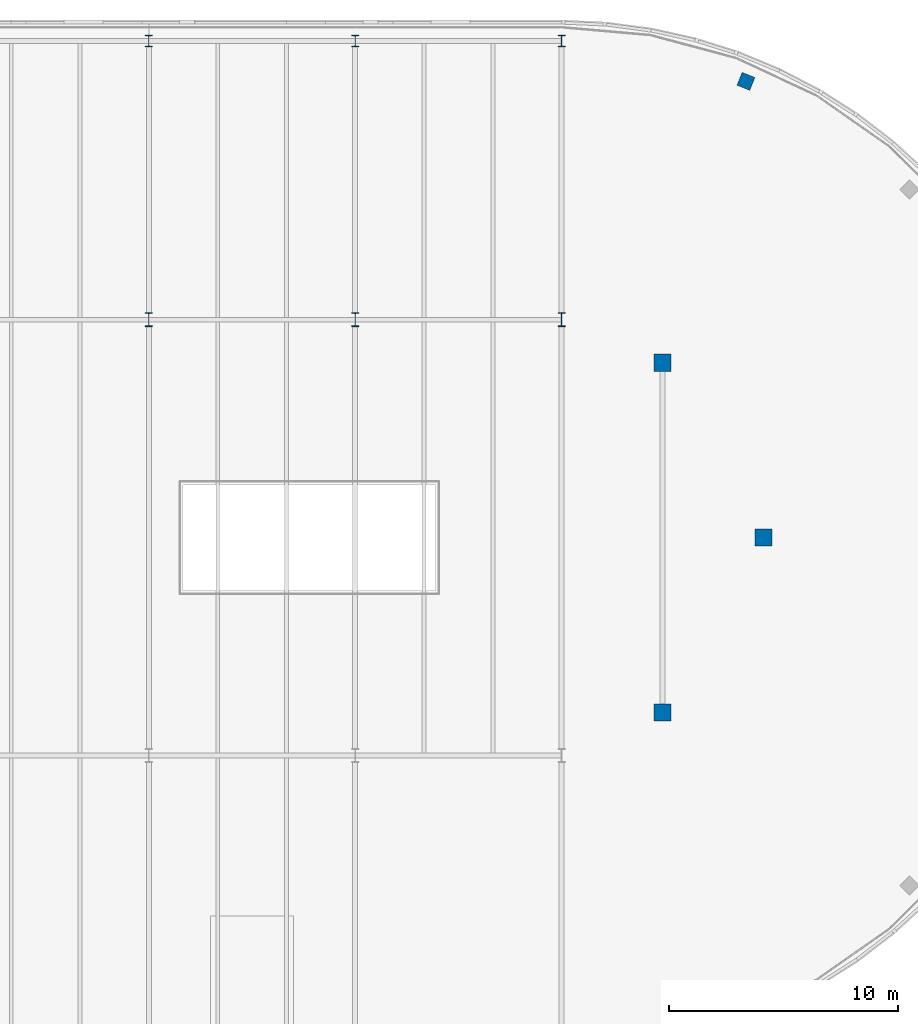
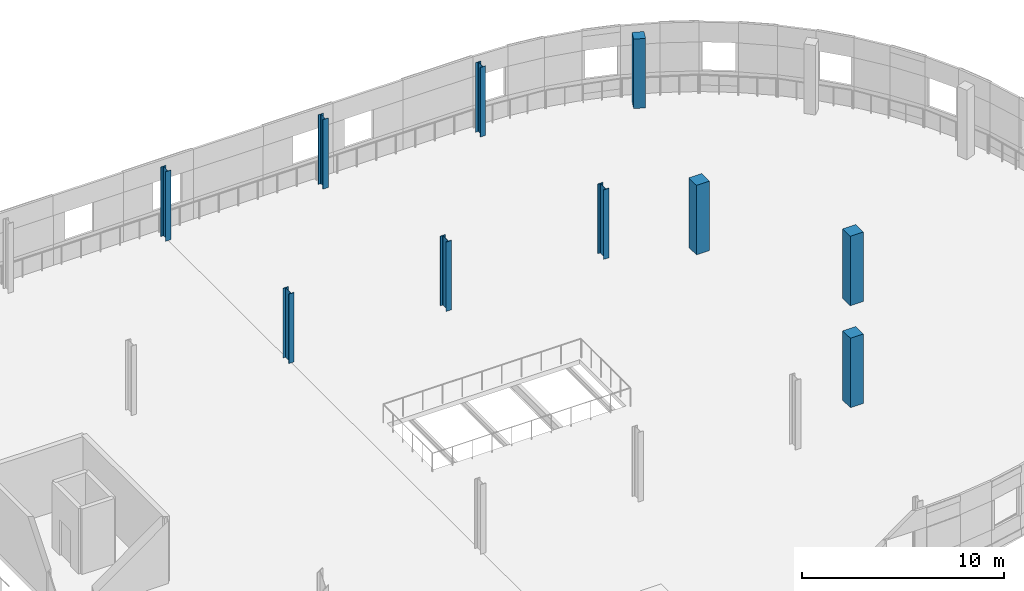
# One storey, part 7 of 88: 10 columns.
"""IFC4 building model written with IfcOpenShell, lengths in metres."""

import ifcopenshell
import ifcopenshell.guid

model = None  # the IFC model being written
_history = None  # IfcOwnerHistory: only IFC2X3 demands one
_inside = {}  # id of a spatial element -> (the spatial element, [elements in it])
_under = {}  # id of a project, library or spatial element -> (it, [spatial elements below it])
_declared = {}  # id of a project -> (the project, [libraries it declares])
_typed = {}  # id of a type object -> (the type object, [elements of that type])
_made_of = {}  # id of a material, layer set ... -> (it, [elements and type objects made of it])


def new_model(schema):
    """Start an empty IFC model of exactly this schema.

    Asked for "IFC4X3", IfcOpenShell would pick the latest addendum, in which some entities
    have other attributes; the version numbers below select the first issue.
    IFC2X3 requires an IfcOwnerHistory on every rooted entity: one is made here for all.
    """
    global model, _history
    if schema == "IFC4X3":
        model = ifcopenshell.file(schema_version=(4, 3, 0, 0))
    else:
        model = ifcopenshell.file(schema=schema)
    _inside.clear()
    _under.clear()
    _declared.clear()
    _typed.clear()
    _made_of.clear()
    _history = None
    if model.schema == "IFC2X3":
        org = make("IfcOrganization", Name="unknown")
        user = make(
            "IfcPersonAndOrganization",
            ThePerson=make("IfcPerson", FamilyName="unknown"),
            TheOrganization=org,
        )
        app = make(
            "IfcApplication",
            ApplicationDeveloper=org,
            Version="unknown",
            ApplicationFullName="unknown",
            ApplicationIdentifier="unknown",
        )
        _history = make(
            "IfcOwnerHistory",
            OwningUser=user,
            OwningApplication=app,
            ChangeAction="ADDED",
            CreationDate=0,
        )
    return model


def make(cls, **values):
    """One entity of the class cls with the attributes given. An attribute that is None is left unset."""
    return model.create_entity(
        cls, **{name: value for name, value in values.items() if value is not None}
    )


def rooted(cls, **values):
    """An entity with a GlobalId (a new one), such as an element, a storey or a relation."""
    return make(cls, GlobalId=ifcopenshell.guid.new(), OwnerHistory=_history, **values)


def si_unit(unit_type, name, prefix=None):
    """IfcSIUnit, for example si_unit("LENGTHUNIT", "METRE", prefix="MILLI")."""
    return make("IfcSIUnit", UnitType=unit_type, Prefix=prefix, Name=name)


def assignment(units):
    """IfcUnitAssignment: the units of a project."""
    return None if units is None else make("IfcUnitAssignment", Units=units)


def point(xyz):
    """IfcCartesianPoint."""
    return None if xyz is None else make("IfcCartesianPoint", Coordinates=xyz)


def direction(xyz):
    """IfcDirection."""
    return None if xyz is None else make("IfcDirection", DirectionRatios=xyz)


def frame(location, z_axis=None, x_axis=None):
    """IfcAxis2Placement3D, a coordinate frame: its origin and axes. An axis left out is left unset."""
    return make(
        "IfcAxis2Placement3D",
        Location=point(location),
        Axis=direction(z_axis),
        RefDirection=direction(x_axis),
    )


def frame_2d(location, x_axis=None):
    """IfcAxis2Placement2D, a coordinate frame in the plane: its origin and x axis."""
    return make(
        "IfcAxis2Placement2D", Location=point(location), RefDirection=direction(x_axis)
    )


def origin():
    """The frame at (0, 0, 0) with its axes left unset."""
    return frame((0.0, 0.0, 0.0))


def origin_2d():
    """The frame at (0, 0) in the plane with its x axis left unset."""
    return frame_2d((0.0, 0.0))


def place(relative_to, where):
    """IfcLocalPlacement: puts the frame where relative to a parent placement (None: the world)."""
    return make(
        "IfcLocalPlacement", PlacementRelTo=relative_to, RelativePlacement=where
    )


def context(
    kind, dimensions, precision=None, world=None, true_north=None, identifier=None
):
    """IfcGeometricRepresentationContext, for example the 3D "Model" context."""
    return make(
        "IfcGeometricRepresentationContext",
        ContextIdentifier=identifier,
        ContextType=kind,
        CoordinateSpaceDimension=dimensions,
        Precision=precision,
        WorldCoordinateSystem=world,
        TrueNorth=true_north,
    )


def subcontext(parent, identifier, kind, view, scale=None):
    """IfcGeometricRepresentationSubContext, for example "Body" below "Model"."""
    return make(
        "IfcGeometricRepresentationSubContext",
        ContextIdentifier=identifier,
        ContextType=kind,
        ParentContext=parent,
        TargetScale=scale,
        TargetView=view,
    )


def project(units=None, contexts=None):
    """IfcProject with its units and contexts."""
    return rooted(
        "IfcProject",
        Name="project",
        RepresentationContexts=contexts,
        UnitsInContext=assignment(units),
    )


def spatial(cls, under=None, at=None, **own):
    """A site, building, storey or space (cls), placed at a placement, below another one or the project."""
    s = rooted(cls, ObjectPlacement=at, **own)
    if under is not None:
        _under.setdefault(under.id(), (under, []))[1].append(s)
    return s


def profile(cls, at=None, kind="AREA", **sizes):
    """A parametric profile (cls). Its sizes go by their IFC names, for example OverallWidth=200.0."""
    return make(cls, ProfileType=kind, Position=at, **sizes)


def rectangle(**sizes):
    """IfcRectangleProfileDef."""
    return profile("IfcRectangleProfileDef", **sizes)


def i_section(**sizes):
    """IfcIShapeProfileDef."""
    return profile("IfcIShapeProfileDef", **sizes)


def extrude(swept, where, along, depth):
    """IfcExtrudedAreaSolid: the profile swept, set in the frame where, extruded along a direction by depth."""
    return make(
        "IfcExtrudedAreaSolid",
        SweptArea=swept,
        Position=where,
        ExtrudedDirection=direction(along),
        Depth=depth,
    )


def shape(context_of_items, identifier, shape_type, items):
    """IfcShapeRepresentation: the items that make up one representation, for example the "Body"."""
    return make(
        "IfcShapeRepresentation",
        ContextOfItems=context_of_items,
        RepresentationIdentifier=identifier,
        RepresentationType=shape_type,
        Items=items,
    )


def material(Name=None, Category=None):
    """IfcMaterial."""
    return make("IfcMaterial", Name=Name, Category=Category)


def material_profile(
    of_material, cross_section, Name=None, Category=None, Priority=None
):
    """IfcMaterialProfile: a cross section and its material."""
    return make(
        "IfcMaterialProfile",
        Name=Name,
        Material=of_material,
        Profile=cross_section,
        Priority=Priority,
        Category=Category,
    )


def profile_set(profiles, Name=None, composite=None):
    """IfcMaterialProfileSet."""
    return make(
        "IfcMaterialProfileSet",
        Name=Name,
        MaterialProfiles=profiles,
        CompositeProfile=composite,
    )


def made_of(thing, what):
    """Note that an element or type object is made of a material, layer set ...; save() writes the relation."""
    if what is not None:
        _made_of.setdefault(what.id(), (what, []))[1].append(thing)
    return thing


def type_object(cls, material=None, **own):
    """A type object (cls), such as IfcWallType, which elements share."""
    return made_of(rooted(cls, **own), material)


def element(
    cls,
    number,
    at=None,
    inside=None,
    cuts=None,
    type_object=None,
    material=None,
    context=None,
    identifier="Body",
    shape_type=None,
    held_by="IfcProductDefinitionShape",
    body=None,
    shapes=None,
    **own,
):
    """One element of the class cls, such as IfcWall. Its Tag is "e" and its number.

    at: its placement. inside: the storey or other place that contains it. cuts: it is an
    opening in that element (IfcRelVoidsElement). A single representation is given by context,
    identifier, shape_type and body (its items); several are given by shapes. held_by: the class
    of the entity that holds the representations. save() writes the other relations.
    """
    e = rooted(cls, Tag="e%d" % number, ObjectPlacement=at, **own)
    if body is not None:
        shapes = [shape(context, identifier, shape_type, body)]
    if shapes is not None:
        e.Representation = make(held_by, Representations=shapes)
    if inside is not None:
        _inside.setdefault(inside.id(), (inside, []))[1].append(e)
    if cuts is not None:
        rooted(
            "IfcRelVoidsElement", RelatingBuildingElement=cuts, RelatedOpeningElement=e
        )
    if type_object is not None:
        _typed.setdefault(type_object.id(), (type_object, []))[1].append(e)
    return made_of(e, material)


def aggregate(whole, parts):
    """IfcRelAggregates: a whole, such as a stair, and the parts it consists of."""
    return rooted("IfcRelAggregates", RelatingObject=whole, RelatedObjects=parts)


def save(model, path):
    """Write the relations noted so far, then the file.

    IfcRelAggregates (storeys below a building ...), IfcRelContainedInSpatialStructure (elements
    in a storey), IfcRelDefinesByType, IfcRelAssociatesMaterial and IfcRelDeclares: one each for
    every whole, place, type object, material and project.
    """
    for whole, parts in _under.values():
        aggregate(whole, parts)
    for where, things in _inside.values():
        rooted(
            "IfcRelContainedInSpatialStructure",
            RelatedElements=things,
            RelatingStructure=where,
        )
    for kind, things in _typed.values():
        rooted("IfcRelDefinesByType", RelatedObjects=things, RelatingType=kind)
    for what, things in _made_of.values():
        rooted("IfcRelAssociatesMaterial", RelatedObjects=things, RelatingMaterial=what)
    for by, libraries in _declared.values():
        rooted("IfcRelDeclares", RelatingContext=by, RelatedDefinitions=libraries)
    model.write(path)


model = new_model("IFC4")

# Units and contexts
model_context = context("Model", 3, precision=1e-05, world=origin(), true_north=direction((0.0, 1.0)))
body_context = subcontext(model_context, "Body", "Model", "MODEL_VIEW")
ifc_project = project(units=[si_unit("LENGTHUNIT", "METRE"), si_unit("AREAUNIT", "SQUARE_METRE"), si_unit("VOLUMEUNIT", "CUBIC_METRE"), si_unit("PLANEANGLEUNIT", "RADIAN"), si_unit("MASSUNIT", "GRAM", prefix="KILO")], contexts=[model_context])

# Site, building, storey
site_placement = place(None, origin())
site = spatial("IfcSite", under=ifc_project, at=site_placement, CompositionType="ELEMENT")
building_placement = place(site_placement, origin())
building = spatial("IfcBuilding", under=site, at=building_placement, Name="Deido Ridge Mobility Hub", CompositionType="ELEMENT")
storey_placement = place(building_placement, frame((0.0, 0.0, 16.800048828125)))
storey = spatial("IfcBuildingStorey", under=building, at=storey_placement, Name="L04", CompositionType="ELEMENT", Elevation=16.800048828125)

# Columns
ifc_material_1 = material(Name="Steel S355J2 EN 10025-2", Category="steel")
ifc_material_profile_1 = material_profile(ifc_material_1, i_section(OverallWidth=0.300048828125, OverallDepth=0.5, WebThickness=0.014404296875, FlangeThickness=0.028076171875, FilletRadius=0.027099609375, at=origin_2d()), Name="HEB 500")
ifc_profile_set_1 = profile_set([ifc_material_profile_1], Name="Steel S355J2 EN 10025-2")
column_type_1 = type_object("IfcColumnType", Name="COL-HEB500", PredefinedType="COLUMN", material=ifc_profile_set_1)
for number, where, z_axis, x_axis, name in (
    (1, (99.0, 125.14990234375, 0.0), (0.0, 0.0, 1.0), (1.0, 0.0, 0.0), "Structural column C5"),
    (2, (108.0, 125.14990234375, 0.0), (0.0, 0.0, 1.0), (1.0, 0.0, 0.0), "Structural column C5"),
    (3, (117.0, 125.14990234375, 0.0), (0.0, 0.0, 1.0), (1.0, 0.0, 0.0), "Structural column C5"),
):
    element("IfcColumn", number, at=place(storey_placement, frame(where, z_axis=z_axis, x_axis=x_axis)), inside=storey, type_object=column_type_1, Name=name, PredefinedType="COLUMN", context=body_context, shape_type="SweptSolid", body=[
        extrude(i_section(OverallWidth=0.300048828125, OverallDepth=0.5, WebThickness=0.014404296875, FlangeThickness=0.028076171875, FilletRadius=0.027099609375, at=origin_2d()), origin(), (0.0, 0.0, 1.0), 4.199951171875),
    ])
ifc_material_profile_2 = material_profile(ifc_material_1, i_section(OverallWidth=0.300048828125, OverallDepth=0.60009765625, WebThickness=0.015380859375, FlangeThickness=0.030029296875, FilletRadius=0.027099609375, at=origin_2d()), Name="HEB 600")
ifc_profile_set_2 = profile_set([ifc_material_profile_2], Name="Steel S355J2 EN 10025-2")
column_type_2 = type_object("IfcColumnType", Name="COL-HEB600", PredefinedType="COLUMN", material=ifc_profile_set_2)
for number, where, z_axis, x_axis, name in (
    (4, (99.0, 113.0, 0.0), (0.0, 0.0, 1.0), (1.0, 0.0, 0.0), "Structural column C4"),
    (5, (108.0, 113.0, 0.0), (0.0, 0.0, 1.0), (1.0, 0.0, 0.0), "Structural column C4"),
    (6, (117.0, 113.0, 0.0), (0.0, 0.0, 1.0), (1.0, 0.0, 0.0), "Structural column C4"),
):
    element("IfcColumn", number, at=place(storey_placement, frame(where, z_axis=z_axis, x_axis=x_axis)), inside=storey, type_object=column_type_2, Name=name, PredefinedType="COLUMN", context=body_context, shape_type="SweptSolid", body=[
        extrude(i_section(OverallWidth=0.300048828125, OverallDepth=0.60009765625, WebThickness=0.015380859375, FlangeThickness=0.030029296875, FilletRadius=0.027099609375, at=origin_2d()), origin(), (0.0, 0.0, 1.0), 4.199951171875),
    ])
ifc_material_2 = material(Name="Concrete C40/50", Category="concrete")
ifc_material_profile_3 = material_profile(ifc_material_2, rectangle(XDim=0.60009765625, YDim=0.60009765625, at=origin_2d()), Name="RC COL 600x600")
ifc_profile_set_3 = profile_set([ifc_material_profile_3], Name="Concrete C40/50")
column_type_3 = type_object("IfcColumnType", Name="COL-RC600", PredefinedType="COLUMN", material=ifc_profile_set_3)
column_placement = place(storey_placement, frame((125.035400390625, 123.38818359375, 0.0), z_axis=(0.0, 0.0, 1.0), x_axis=(0.374606593416, 0.927183854567, 0.0)))
element("IfcColumn", 7, at=column_placement, inside=storey, type_object=column_type_3, Name="Structural column RC2", PredefinedType="COLUMN", context=body_context, shape_type="SweptSolid", body=[
    extrude(rectangle(XDim=0.60009765625, YDim=0.60009765625, at=origin_2d()), origin(), (0.0, 0.0, 1.0), 4.199951171875),
])
ifc_material_profile_4 = material_profile(ifc_material_2, rectangle(XDim=0.75, YDim=0.75, at=origin_2d()), Name="RC COL 750x750")
ifc_profile_set_4 = profile_set([ifc_material_profile_4], Name="Concrete C40/50")
column_type_4 = type_object("IfcColumnType", Name="COL-RC750", PredefinedType="COLUMN", material=ifc_profile_set_4)
for number, where, z_axis, x_axis, name in (
    (8, (121.39990234375, 95.87890625, 0.0), (0.0, 0.0, 1.0), (1.0, 0.0, 0.0), "Structural column RC1"),
    (9, (125.800048828125, 103.5, 0.0), (0.0, 0.0, 1.0), (1.0, 0.0, 0.0), "Structural column RC1"),
    (10, (121.39990234375, 111.12109375, 0.0), (0.0, 0.0, 1.0), (1.0, 0.0, 0.0), "Structural column RC1"),
):
    element("IfcColumn", number, at=place(storey_placement, frame(where, z_axis=z_axis, x_axis=x_axis)), inside=storey, type_object=column_type_4, Name=name, PredefinedType="COLUMN", context=body_context, shape_type="SweptSolid", body=[
        extrude(rectangle(XDim=0.75, YDim=0.75, at=origin_2d()), origin(), (0.0, 0.0, 1.0), 4.199951171875),
    ])

save(model, "model.ifc")
